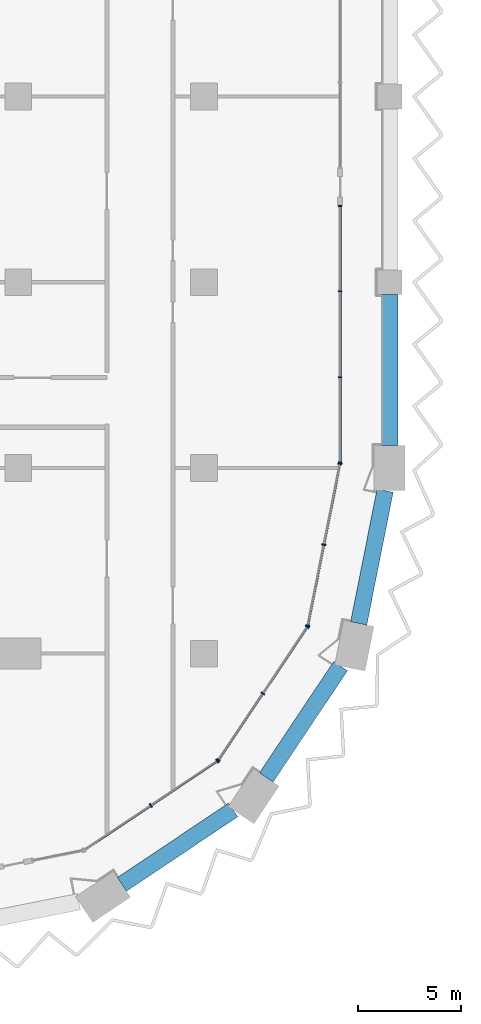
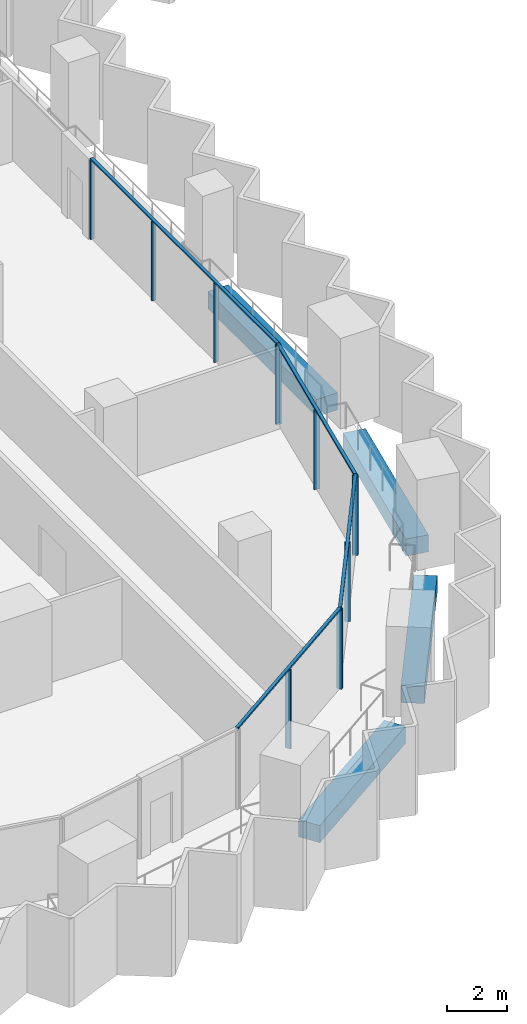
# One storey, part 3 of 23: 16 members, 4 beams, 4 elements without a shape of their own.
"""IFC4 building model written with IfcOpenShell, lengths in metres."""

from ifc_helpers import new_model, si_unit, direction, frame, origin, origin_2d, place, context, subcontext, project, spatial, rectangle, extrude, material, material_profile, profile_set, type_object, element, aggregate, save


model = new_model("IFC4")

# Units and contexts
model_context = context("Model", 3, precision=1e-05, world=origin(), true_north=direction((0.0, 1.0)))
body_context = subcontext(model_context, "Body", "Model", "MODEL_VIEW")
ifc_project = project(units=[si_unit("LENGTHUNIT", "METRE"), si_unit("AREAUNIT", "SQUARE_METRE"), si_unit("VOLUMEUNIT", "CUBIC_METRE"), si_unit("PLANEANGLEUNIT", "RADIAN"), si_unit("MASSUNIT", "GRAM", prefix="KILO")], contexts=[model_context])

# Site, building, storey
site_placement = place(None, origin())
site = spatial("IfcSite", under=ifc_project, at=site_placement, CompositionType="ELEMENT")
building_placement = place(site_placement, origin())
building = spatial("IfcBuilding", under=site, at=building_placement, Name="Hunhe Ridgeline Campus", CompositionType="ELEMENT")
storey_placement = place(building_placement, frame((0.0, 0.0, 107.0)))
storey = spatial("IfcBuildingStorey", under=building, at=storey_placement, Name="L26", CompositionType="ELEMENT", Elevation=107.0)

# Curtain wall, members
ifc_material_1 = material(Name="Aluminium 6063", Category="aluminium")
curtain_wall_type_1 = type_object("IfcCurtainWallType", Name="Curtain wall CW-1", PredefinedType="NOTDEFINED", material=ifc_material_1)
curtain_wall_1_placement = place(storey_placement, origin())
curtain_wall_1 = element("IfcCurtainWall", 1, at=curtain_wall_1_placement, inside=storey, type_object=curtain_wall_type_1, Name="Curtain wall 11", PredefinedType="NOTDEFINED")
ifc_material_profile_1 = material_profile(ifc_material_1, rectangle(XDim=0.159912109375, YDim=0.06005859375, at=origin_2d()))
ifc_profile_set_1 = profile_set([ifc_material_profile_1], Name="Aluminium 6063")
member_type_1 = type_object("IfcMemberType", Name="CW-1 aluminium mullion", PredefinedType="MULLION", material=ifc_profile_set_1)
member_1_placement = place(storey_placement, frame((42.59912109375, 27.266357421875, 0.0), z_axis=(0.0, 0.0, 1.0), x_axis=(-0.99999999994, 1.0975712e-05, 0.0)))
member_1 = element("IfcMember", 2, at=member_1_placement, type_object=member_type_1, Name="CW-1 mullion 1", PredefinedType="MULLION", context=body_context, shape_type="SweptSolid", body=[
    extrude(rectangle(XDim=0.159912109375, YDim=0.06005859375, at=origin_2d()), origin(), (0.0, 0.0, 1.0), 3.239990234375),
])
member_2_placement = place(storey_placement, frame((42.59912109375, 31.397216796875, 0.0), z_axis=(0.0, 0.0, 1.0), x_axis=(-0.99999999994, 1.0975712e-05, 0.0)))
member_2 = element("IfcMember", 3, at=member_2_placement, type_object=member_type_1, Name="CW-1 mullion 2", PredefinedType="MULLION", context=body_context, shape_type="SweptSolid", body=[
    extrude(rectangle(XDim=0.159912109375, YDim=0.06005859375, at=origin_2d()), origin(), (0.0, 0.0, 1.0), 3.239990234375),
])
member_3_placement = place(storey_placement, frame((42.59912109375, 35.557861328125, 0.0), z_axis=(0.0, 0.0, 1.0), x_axis=(-0.99999999994, 1.0975712e-05, 0.0)))
member_3 = element("IfcMember", 4, at=member_3_placement, type_object=member_type_1, Name="CW-1 mullion 3", PredefinedType="MULLION", context=body_context, shape_type="SweptSolid", body=[
    extrude(rectangle(XDim=0.159912109375, YDim=0.06005859375, at=origin_2d()), origin(), (0.0, 0.0, 1.0), 3.239990234375),
])
member_4_placement = place(storey_placement, frame((42.59912109375, 39.6884765625, 0.0), z_axis=(0.0, 0.0, 1.0), x_axis=(-0.99999999994, 1.0975712e-05, 0.0)))
member_4 = element("IfcMember", 5, at=member_4_placement, type_object=member_type_1, Name="CW-1 mullion 4", PredefinedType="MULLION", context=body_context, shape_type="SweptSolid", body=[
    extrude(rectangle(XDim=0.159912109375, YDim=0.06005859375, at=origin_2d()), origin(), (0.0, 0.0, 1.0), 3.239990234375),
])
ifc_material_profile_2 = material_profile(ifc_material_1, rectangle(XDim=0.1201171875, YDim=0.06005859375, at=origin_2d()))
ifc_profile_set_2 = profile_set([ifc_material_profile_2], Name="Aluminium 6063")
member_type_2 = type_object("IfcMemberType", Name="CW-1 aluminium transom", PredefinedType="USERDEFINED", material=ifc_profile_set_2)
member_5_placement = place(storey_placement, frame((42.59912109375, 27.236572265625, 3.27001953125), z_axis=(0.0, 1.0, 0.0), x_axis=(-1.0, 0.0, 0.0)))
member_5 = element("IfcMember", 6, at=member_5_placement, type_object=member_type_2, Name="CW-1 transom 1", ObjectType="TRANSOM", PredefinedType="USERDEFINED", context=body_context, shape_type="SweptSolid", body=[
    extrude(rectangle(XDim=0.1201171875, YDim=0.06005859375, at=origin_2d()), origin(), (0.0, 0.0, 1.0), 12.48193359375),
])
aggregate(curtain_wall_1, [member_5, member_1, member_2, member_3, member_4])

curtain_wall_type_2 = type_object("IfcCurtainWallType", Name="Curtain wall CW-5", PredefinedType="NOTDEFINED", material=ifc_material_1)
curtain_wall_2_placement = place(storey_placement, origin())
curtain_wall_2 = element("IfcCurtainWall", 7, at=curtain_wall_2_placement, inside=storey, type_object=curtain_wall_type_2, Name="Curtain wall 08", PredefinedType="NOTDEFINED")
ifc_material_profile_3 = material_profile(ifc_material_1, rectangle(XDim=0.199951171875, YDim=0.070068359375, at=origin_2d()))
ifc_profile_set_3 = profile_set([ifc_material_profile_3], Name="Aluminium 6063")
member_type_3 = type_object("IfcMemberType", Name="CW-5 aluminium mullion", PredefinedType="MULLION", material=ifc_profile_set_3)
member_6_placement = place(storey_placement, frame((33.42626953125, 10.647705078125, 0.0), z_axis=(0.0, 0.0, 1.0), x_axis=(-0.555570274596, 0.831469584522, 0.0)))
member_6 = element("IfcMember", 8, at=member_6_placement, type_object=member_type_3, Name="CW-5 mullion 2", PredefinedType="MULLION", context=body_context, shape_type="SweptSolid", body=[
    extrude(rectangle(XDim=0.199951171875, YDim=0.070068359375, at=origin_2d()), origin(), (0.0, 0.0, 1.0), 3.22998046875),
])
member_7_placement = place(storey_placement, frame((36.649658203125, 12.8017578125, 0.0), z_axis=(0.0, 0.0, 1.0), x_axis=(-0.555570274596, 0.831469584522, 0.0)))
member_7 = element("IfcMember", 9, at=member_7_placement, type_object=member_type_3, Name="CW-5 mullion 3", PredefinedType="MULLION", context=body_context, shape_type="SweptSolid", body=[
    extrude(rectangle(XDim=0.199951171875, YDim=0.070068359375, at=origin_2d()), origin(), (0.0, 0.0, 1.0), 3.22998046875),
])

curtain_wall_3_placement = place(storey_placement, origin())
curtain_wall_3 = element("IfcCurtainWall", 10, at=curtain_wall_3_placement, inside=storey, type_object=curtain_wall_type_2, Name="Curtain wall 09", PredefinedType="NOTDEFINED")
member_8_placement = place(storey_placement, frame((36.6982421875, 12.850341796875, 0.0), z_axis=(0.0, 0.0, 1.0), x_axis=(-0.831469584522, 0.555570274596, 0.0)))
member_8 = element("IfcMember", 11, at=member_8_placement, type_object=member_type_3, Name="CW-5 mullion 1", PredefinedType="MULLION", context=body_context, shape_type="SweptSolid", body=[
    extrude(rectangle(XDim=0.199951171875, YDim=0.070068359375, at=origin_2d()), origin(), (0.0, 0.0, 1.0), 3.22998046875),
])
member_9_placement = place(storey_placement, frame((38.852294921875, 16.07373046875, 0.0), z_axis=(0.0, 0.0, 1.0), x_axis=(-0.831469584522, 0.555570274596, 0.0)))
member_9 = element("IfcMember", 12, at=member_9_placement, type_object=member_type_3, Name="CW-5 mullion 2", PredefinedType="MULLION", context=body_context, shape_type="SweptSolid", body=[
    extrude(rectangle(XDim=0.199951171875, YDim=0.070068359375, at=origin_2d()), origin(), (0.0, 0.0, 1.0), 3.22998046875),
])
member_10_placement = place(storey_placement, frame((41.006103515625, 19.29736328125, 0.0), z_axis=(0.0, 0.0, 1.0), x_axis=(-0.831469584522, 0.555570274596, 0.0)))
member_10 = element("IfcMember", 13, at=member_10_placement, type_object=member_type_3, Name="CW-5 mullion 3", PredefinedType="MULLION", context=body_context, shape_type="SweptSolid", body=[
    extrude(rectangle(XDim=0.199951171875, YDim=0.070068359375, at=origin_2d()), origin(), (0.0, 0.0, 1.0), 3.22998046875),
])

curtain_wall_4_placement = place(storey_placement, origin())
curtain_wall_4 = element("IfcCurtainWall", 14, at=curtain_wall_4_placement, inside=storey, type_object=curtain_wall_type_2, Name="Curtain wall 10", PredefinedType="NOTDEFINED")
member_11_placement = place(storey_placement, frame((41.032470703125, 19.36083984375, 0.0), z_axis=(0.0, 0.0, 1.0), x_axis=(-0.980785284939, 0.195090299215, 0.0)))
member_11 = element("IfcMember", 15, at=member_11_placement, type_object=member_type_3, Name="CW-5 mullion 1", PredefinedType="MULLION", context=body_context, shape_type="SweptSolid", body=[
    extrude(rectangle(XDim=0.199951171875, YDim=0.070068359375, at=origin_2d()), origin(), (0.0, 0.0, 1.0), 3.22998046875),
])
member_12_placement = place(storey_placement, frame((41.812255859375, 23.281494140625, 0.0), z_axis=(0.0, 0.0, 1.0), x_axis=(-0.980785284939, 0.195090299215, 0.0)))
member_12 = element("IfcMember", 16, at=member_12_placement, type_object=member_type_3, Name="CW-5 mullion 2", PredefinedType="MULLION", context=body_context, shape_type="SweptSolid", body=[
    extrude(rectangle(XDim=0.199951171875, YDim=0.070068359375, at=origin_2d()), origin(), (0.0, 0.0, 1.0), 3.22998046875),
])
member_13_placement = place(storey_placement, frame((42.59228515625, 27.2021484375, 0.0), z_axis=(0.0, 0.0, 1.0), x_axis=(-0.980785284939, 0.195090299215, 0.0)))
member_13 = element("IfcMember", 17, at=member_13_placement, type_object=member_type_3, Name="CW-5 mullion 3", PredefinedType="MULLION", context=body_context, shape_type="SweptSolid", body=[
    extrude(rectangle(XDim=0.199951171875, YDim=0.070068359375, at=origin_2d()), origin(), (0.0, 0.0, 1.0), 3.22998046875),
])

# Member
ifc_material_profile_4 = material_profile(ifc_material_1, rectangle(XDim=0.1201171875, YDim=0.070068359375, at=origin_2d()))
ifc_profile_set_4 = profile_set([ifc_material_profile_4], Name="Aluminium 6063")
member_type_4 = type_object("IfcMemberType", Name="CW-5 aluminium transom", PredefinedType="USERDEFINED", material=ifc_profile_set_4)
member_14_placement = place(storey_placement, frame((30.173583984375, 8.474365234375, 3.264892578125), z_axis=(0.831473763475, 0.5555640203, 0.0), x_axis=(-0.5555640203, 0.831473763475, 0.0)))
member_14 = element("IfcMember", 18, at=member_14_placement, type_object=member_type_4, Name="CW-5 transom 1", ObjectType="TRANSOM", PredefinedType="USERDEFINED", context=body_context, shape_type="SweptSolid", body=[
    extrude(rectangle(XDim=0.1201171875, YDim=0.070068359375, at=origin_2d()), origin(), (0.0, 0.0, 1.0), 7.823974609375),
])

aggregate(curtain_wall_2, [member_14, member_6, member_7])

member_15_placement = place(storey_placement, frame((36.678955078125, 12.821044921875, 3.264892578125), z_axis=(0.5555640203, 0.831473763475, 0.0), x_axis=(-0.831473763475, 0.5555640203, 0.0)))
member_15 = element("IfcMember", 19, at=member_15_placement, type_object=member_type_4, Name="CW-5 transom 1", ObjectType="TRANSOM", PredefinedType="USERDEFINED", context=body_context, shape_type="SweptSolid", body=[
    extrude(rectangle(XDim=0.1201171875, YDim=0.070068359375, at=origin_2d()), origin(), (0.0, 0.0, 1.0), 7.823974609375),
])

aggregate(curtain_wall_3, [member_15, member_8, member_9, member_10])

member_16_placement = place(storey_placement, frame((41.025634765625, 19.326416015625, 3.264892578125), z_axis=(0.195097290093, 0.980783894341, 0.0), x_axis=(-0.980783894341, 0.195097290093, 0.0)))
member_16 = element("IfcMember", 20, at=member_16_placement, type_object=member_type_4, Name="CW-5 transom 1", ObjectType="TRANSOM", PredefinedType="USERDEFINED", context=body_context, shape_type="SweptSolid", body=[
    extrude(rectangle(XDim=0.1201171875, YDim=0.070068359375, at=origin_2d()), origin(), (0.0, 0.0, 1.0), 8.065185546875),
])

aggregate(curtain_wall_4, [member_16, member_11, member_12, member_13])

# Beams
ifc_material_2 = material(Name="Concrete C60", Category="concrete")
ifc_material_profile_5 = material_profile(ifc_material_2, rectangle(XDim=0.800048828125, YDim=0.699951171875, at=origin_2d()))
ifc_profile_set_5 = profile_set([ifc_material_profile_5], Name="Concrete C60")
beam_type = type_object("IfcBeamType", Name="RC spandrel beam 800x700 Concrete C60", PredefinedType="SPANDREL", material=ifc_profile_set_5)
for number, where, z_axis, x_axis, name in (
    (21, (32.02490234375, 6.82373046875, -0.60009765625), (0.831459384183, 0.555585540178, 0.0), (-0.555585540178, 0.831459384183, 0.0), "Spandrel beam B1-6 L26"),
    (22, (39.02099609375, 12.004638671875, -0.60009765625), (0.555559527577, 0.831476765351, 0.0), (-0.831476765351, 0.555559527577, 0.0), "Spandrel beam B1-7 L26"),
):
    element("IfcBeam", number, at=place(storey_placement, frame(where, z_axis=z_axis, x_axis=x_axis)), inside=storey, type_object=beam_type, Name=name, PredefinedType="SPANDREL", context=body_context, shape_type="SweptSolid", body=[
        extrude(rectangle(XDim=0.800048828125, YDim=0.699951171875, at=origin_2d()), origin(), (0.0, 0.0, 1.0), 6.488525390625),
    ])
beam_1_placement = place(storey_placement, frame((43.501953125, 19.468505859375, -0.60009765625), z_axis=(0.195092166671, 0.980784913477, 0.0), x_axis=(-0.980784913477, 0.195092166671, 0.0)))
element("IfcBeam", 23, at=beam_1_placement, inside=storey, type_object=beam_type, Name="Spandrel beam B1-8 L26", PredefinedType="SPANDREL", context=body_context, shape_type="SweptSolid", body=[
    extrude(rectangle(XDim=0.800048828125, YDim=0.699951171875, at=origin_2d()), origin(), (0.0, 0.0, 1.0), 6.557373046875),
])
beam_2_placement = place(storey_placement, frame((45.0, 28.10009765625, -0.60009765625), z_axis=(0.0, 1.0, 0.0), x_axis=(-1.0, 0.0, 0.0)))
element("IfcBeam", 24, at=beam_2_placement, inside=storey, type_object=beam_type, Name="Spandrel beam B1-9 L26", PredefinedType="SPANDREL", context=body_context, shape_type="SweptSolid", body=[
    extrude(rectangle(XDim=0.800048828125, YDim=0.699951171875, at=origin_2d()), origin(), (0.0, 0.0, 1.0), 7.2998046875),
])

save(model, "model.ifc")
